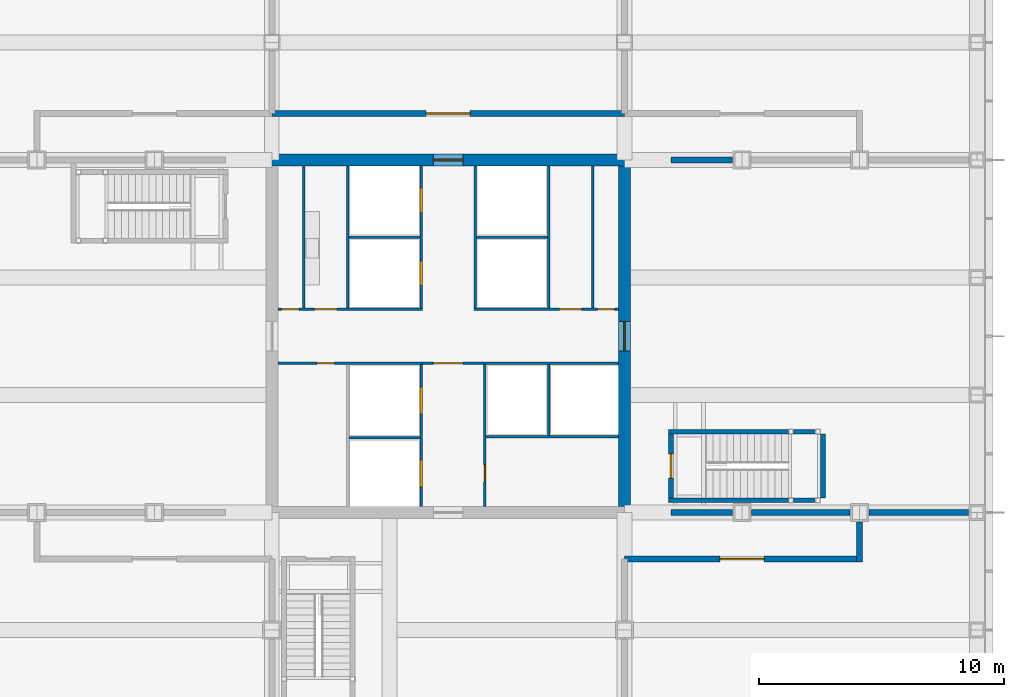
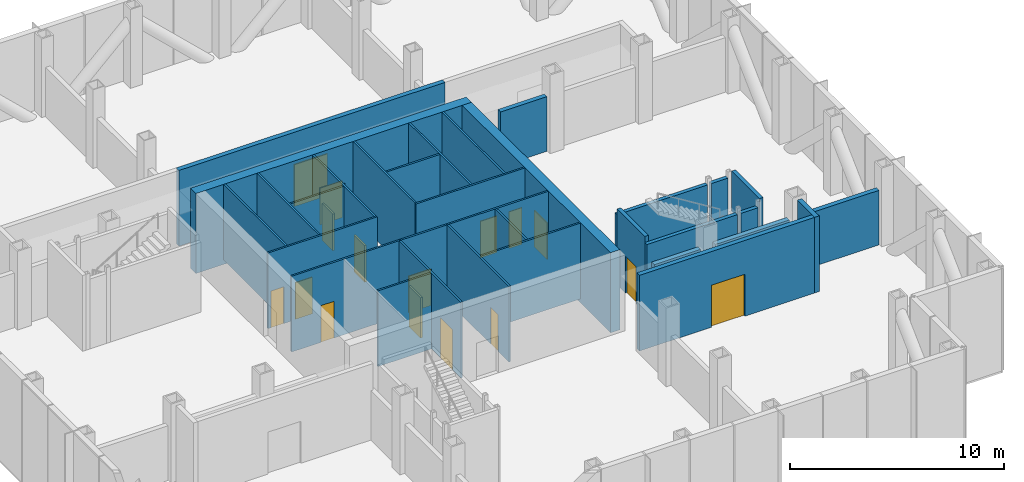
# One storey, part 14 of 18: 33 walls, 16 doors, 16 openings.
"""IFC4 building model written with IfcOpenShell, lengths in metres."""

from ifc_helpers import new_model, si_unit, direction, frame, frame_2d, origin, place, context, subcontext, project, spatial, rectangle, extrude, material, layer, layer_set, type_object, element, fill, save


model = new_model("IFC4")

# Units and contexts
model_context = context("Model", 3, precision=1e-05, world=origin(), true_north=direction((0.0, 1.0)))
body_context = subcontext(model_context, "Body", "Model", "MODEL_VIEW")
ifc_project = project(units=[si_unit("LENGTHUNIT", "METRE"), si_unit("AREAUNIT", "SQUARE_METRE"), si_unit("VOLUMEUNIT", "CUBIC_METRE"), si_unit("PLANEANGLEUNIT", "RADIAN"), si_unit("MASSUNIT", "GRAM", prefix="KILO")], contexts=[model_context])

# Site, building, storey
site_placement = place(None, origin())
site = spatial("IfcSite", under=ifc_project, at=site_placement, CompositionType="ELEMENT")
building_placement = place(site_placement, origin())
building = spatial("IfcBuilding", under=site, at=building_placement, Name="Kvirike Care Tower", CompositionType="ELEMENT")
storey_placement = place(building_placement, frame((0.0, 0.0, 79.5)))
storey = spatial("IfcBuildingStorey", under=building, at=storey_placement, Name="L21", CompositionType="ELEMENT", Elevation=79.5)

# Wall, opening, door
ifc_material_1 = material(Name="Concrete C60/75", Category="concrete")
ifc_layer_1 = layer(ifc_material_1, 0.5)
ifc_layer_set_1 = layer_set([ifc_layer_1], Name="CORE WALL 500 C60-75")
wall_type_1 = type_object("IfcWallType", Name="CORE WALL 500 C60-75", PredefinedType="SHEAR", material=ifc_layer_set_1)
wall_1_placement = place(storey_placement, frame((29.050048828125, 43.199951171875, -0.25), z_axis=(0.0, 0.0, 1.0), x_axis=(-1.0, 0.0, 0.0)))
wall_1 = element("IfcWall", 1, at=wall_1_placement, inside=storey, type_object=wall_type_1, Name="Core wall N L21", PredefinedType="SHEAR", context=body_context, shape_type="SweptSolid", body=[
    extrude(rectangle(XDim=14.900146484375, YDim=0.5, at=frame_2d((7.4501953125, 0.0))), origin(), (0.0, 0.0, 1.0), 4.580078125),
])
opening_1_placement = place(wall_1_placement, frame((6.85009765625, 0.0, 0.25)))
opening_1 = element("IfcOpeningElement", 2, at=opening_1_placement, cuts=wall_1, Name="Opening 21-023", PredefinedType="OPENING", context=body_context, shape_type="SweptSolid", body=[
    extrude(rectangle(XDim=1.199951171875, YDim=2.10009765625, at=frame_2d((0.60009765625, 1.050048828125))), frame((0.0, 0.260498046875, 0.0), z_axis=(0.0, -1.0, 0.0), x_axis=(1.0, 0.0, 0.0)), (0.0, 0.0, 1.0), 0.52099609375),
])
ifc_material_2 = material(Name="Timber door set", Category="wood")
door_type_1 = type_object("IfcDoorType", Name="CORE DOOR 1200", OperationType="SINGLE_SWING_LEFT", PredefinedType="DOOR", material=ifc_material_2)
door_1_placement = place(opening_1_placement, origin())
door_1 = element("IfcDoor", 3, at=door_1_placement, inside=storey, type_object=door_type_1, Name="Core door N L21", OperationType="SINGLE_SWING_LEFT", OverallHeight=2.10009765625, OverallWidth=1.199951171875, PredefinedType="DOOR", context=body_context, shape_type="SweptSolid", body=[
    extrude(rectangle(XDim=1.199951171875, YDim=2.10009765625, at=frame_2d((0.60009765625, 1.050048828125))), frame((0.0, 0.02685546875, 0.0), z_axis=(0.0, -1.0, 0.0), x_axis=(1.0, 0.0, 0.0)), (0.0, 0.0, 1.0), 0.053955078125),
])
fill(opening_1, door_1)

wall_2_placement = place(storey_placement, frame((28.800048828125, 29.050048828125, -0.25), z_axis=(0.0, 0.0, 1.0), x_axis=(0.0, 1.0, 0.0)))
wall_2 = element("IfcWall", 4, at=wall_2_placement, inside=storey, type_object=wall_type_1, Name="Core wall E L21", PredefinedType="SHEAR", context=body_context, shape_type="SweptSolid", body=[
    extrude(rectangle(XDim=13.89990234375, YDim=0.5, at=frame_2d((6.949951171875, 0.0))), origin(), (0.0, 0.0, 1.0), 4.580078125),
])
opening_2_placement = place(wall_2_placement, frame((6.35009765625, 0.0, 0.25)))
opening_2 = element("IfcOpeningElement", 5, at=opening_2_placement, cuts=wall_2, Name="Opening 21-022", PredefinedType="OPENING", context=body_context, shape_type="SweptSolid", body=[
    extrude(rectangle(XDim=1.199951171875, YDim=2.10009765625, at=frame_2d((0.60009765625, 1.050048828125))), frame((0.0, 0.260498046875, 0.0), z_axis=(0.0, -1.0, 0.0), x_axis=(1.0, 0.0, 0.0)), (0.0, 0.0, 1.0), 0.52099609375),
])
door_2_placement = place(opening_2_placement, origin())
door_2 = element("IfcDoor", 6, at=door_2_placement, inside=storey, type_object=door_type_1, Name="Core door E L21", OperationType="SINGLE_SWING_LEFT", OverallHeight=2.10009765625, OverallWidth=1.199951171875, PredefinedType="DOOR", context=body_context, shape_type="SweptSolid", body=[
    extrude(rectangle(XDim=1.199951171875, YDim=2.10009765625, at=frame_2d((0.60009765625, 1.050048828125))), frame((0.0, 0.02685546875, 0.0), z_axis=(0.0, -1.0, 0.0), x_axis=(1.0, 0.0, 0.0)), (0.0, 0.0, 1.0), 0.053955078125),
])
fill(opening_2, door_2)

ifc_material_3 = material(Name="Concrete blockwork", Category="masonry")
ifc_layer_2 = layer(ifc_material_3, 0.25)
ifc_layer_set_2 = layer_set([ifc_layer_2], Name="PLANT ROOM WALL 250")
wall_type_2 = type_object("IfcWallType", Name="PLANT ROOM WALL 250", PredefinedType="SOLIDWALL", material=ifc_layer_set_2)
wall_3_placement = place(storey_placement, frame((28.800048828125, 45.10009765625, 0.0), z_axis=(0.0, 0.0, 1.0), x_axis=(-1.0, 0.0, 0.0)))
wall_3 = element("IfcWall", 7, at=wall_3_placement, inside=storey, type_object=wall_type_2, Name="Plant Room Wall 250 L21", PredefinedType="SOLIDWALL", context=body_context, shape_type="SweptSolid", body=[
    extrude(rectangle(XDim=14.400146484375, YDim=0.25, at=frame_2d((7.2001953125, 0.0))), origin(), (0.0, 0.0, 1.0), 4.330078125),
])
opening_3_placement = place(wall_3_placement, frame((6.300048828125, 0.0, 0.0)))
opening_3 = element("IfcOpeningElement", 8, at=opening_3_placement, cuts=wall_3, Name="Opening 21-005", PredefinedType="OPENING", context=body_context, shape_type="SweptSolid", body=[
    extrude(rectangle(XDim=1.800048828125, YDim=2.39990234375, at=frame_2d((0.89990234375, 1.199951171875))), frame((0.0, 0.135498046875, 0.0), z_axis=(0.0, -1.0, 0.0), x_axis=(1.0, 0.0, 0.0)), (0.0, 0.0, 1.0), 0.27099609375),
])
ifc_material_4 = material(Name="Timber door set", Category="wood")
door_type_2 = type_object("IfcDoorType", Name="PLANT ROOM DOOR 1800", OperationType="DOUBLE_DOOR_SINGLE_SWING", PredefinedType="DOOR", material=ifc_material_4)
door_3_placement = place(opening_3_placement, frame((1.800048828125, 0.0, 0.0), z_axis=(0.0, 0.0, 1.0), x_axis=(-1.0, 0.0, 0.0)))
door_3 = element("IfcDoor", 9, at=door_3_placement, inside=storey, type_object=door_type_2, Name="Electrical plant room door", OperationType="DOUBLE_DOOR_SINGLE_SWING", OverallHeight=2.39990234375, OverallWidth=1.800048828125, PredefinedType="DOOR", context=body_context, shape_type="SweptSolid", body=[
    extrude(rectangle(XDim=1.800048828125, YDim=2.39990234375, at=frame_2d((0.89990234375, 1.199951171875))), frame((0.0, 0.031982421875, 0.0), z_axis=(0.0, -1.0, 0.0), x_axis=(1.0, 0.0, 0.0)), (0.0, 0.0, 1.0), 0.06396484375),
])
fill(opening_3, door_3)

wall_4_placement = place(storey_placement, frame((28.800048828125, 26.89990234375, 0.0), z_axis=(0.0, 0.0, 1.0), x_axis=(1.0, 0.0, 0.0)))
wall_4 = element("IfcWall", 10, at=wall_4_placement, inside=storey, type_object=wall_type_2, Name="Plant Room Wall 250 L21", PredefinedType="SOLIDWALL", context=body_context, shape_type="SweptSolid", body=[
    extrude(rectangle(XDim=9.599853515625, YDim=0.25, at=frame_2d((4.7998046875, 0.0))), origin(), (0.0, 0.0, 1.0), 4.330078125),
])
opening_4_placement = place(wall_4_placement, frame((3.89990234375, 0.0, 0.0)))
opening_4 = element("IfcOpeningElement", 11, at=opening_4_placement, cuts=wall_4, Name="Opening 21-006", PredefinedType="OPENING", context=body_context, shape_type="SweptSolid", body=[
    extrude(rectangle(XDim=1.800048828125, YDim=2.39990234375, at=frame_2d((0.89990234375, 1.199951171875))), frame((0.0, 0.135498046875, 0.0), z_axis=(0.0, -1.0, 0.0), x_axis=(1.0, 0.0, 0.0)), (0.0, 0.0, 1.0), 0.27099609375),
])
door_4_placement = place(opening_4_placement, frame((1.800048828125, 0.0, 0.0), z_axis=(0.0, 0.0, 1.0), x_axis=(-1.0, 0.0, 0.0)))
door_4 = element("IfcDoor", 12, at=door_4_placement, inside=storey, type_object=door_type_2, Name="Electrical plant room door", OperationType="DOUBLE_DOOR_SINGLE_SWING", OverallHeight=2.39990234375, OverallWidth=1.800048828125, PredefinedType="DOOR", context=body_context, shape_type="SweptSolid", body=[
    extrude(rectangle(XDim=1.800048828125, YDim=2.39990234375, at=frame_2d((0.89990234375, 1.199951171875))), frame((0.0, 0.031982421875, 0.0), z_axis=(0.0, -1.0, 0.0), x_axis=(1.0, 0.0, 0.0)), (0.0, 0.0, 1.0), 0.06396484375),
])
fill(opening_4, door_4)

# Walls
wall_5_placement = place(storey_placement, frame((38.39990234375, 26.77490234375, 0.0), z_axis=(0.0, 0.0, 1.0), x_axis=(0.0, 1.0, 0.0)))
element("IfcWall", 13, at=wall_5_placement, inside=storey, type_object=wall_type_2, Name="Plant Room Wall 250 L21", PredefinedType="SOLIDWALL", context=body_context, shape_type="SweptSolid", body=[
    extrude(rectangle(XDim=1.630126953125, YDim=0.25, at=frame_2d((0.81494140625, 0.0))), origin(), (0.0, 0.0, 1.0), 4.330078125),
])
wall_6_placement = place(storey_placement, frame((42.85498046875, 28.800048828125, 0.0), z_axis=(0.0, 0.0, 1.0), x_axis=(-1.0, 0.0, 0.0)))
element("IfcWall", 14, at=wall_6_placement, inside=storey, type_object=wall_type_2, Name="Plant Room Wall 250 L21", PredefinedType="SOLIDWALL", context=body_context, shape_type="SweptSolid", body=[
    extrude(rectangle(XDim=4.06005859375, YDim=0.25, at=frame_2d((2.030029296875, 0.0))), origin(), (0.0, 0.0, 1.0), 3.1201171875),
])
wall_7_placement = place(storey_placement, frame((38.0048828125, 28.800048828125, 0.0), z_axis=(0.0, 0.0, 1.0), x_axis=(-1.0, 0.0, 0.0)))
element("IfcWall", 15, at=wall_7_placement, inside=storey, type_object=wall_type_2, Name="Plant Room Wall 250 L21", PredefinedType="SOLIDWALL", context=body_context, shape_type="SweptSolid", body=[
    extrude(rectangle(XDim=4.009765625, YDim=0.25, at=frame_2d((2.0048828125, 0.0))), origin(), (0.0, 0.0, 1.0), 3.1201171875),
])
for number, where, z_axis, x_axis, name in (
    (16, (33.205078125, 28.800048828125, 0.0), (0.0, 0.0, 1.0), (-1.0, 0.0, 0.0), "Plant Room Wall 250 L21"),
    (17, (33.205078125, 43.199951171875, 0.0), (0.0, 0.0, 1.0), (-1.0, 0.0, 0.0), "Plant Room Wall 250 L21"),
):
    element("IfcWall", number, at=place(storey_placement, frame(where, z_axis=z_axis, x_axis=x_axis)), inside=storey, type_object=wall_type_2, Name=name, PredefinedType="SOLIDWALL", context=body_context, shape_type="SweptSolid", body=[
        extrude(rectangle(XDim=2.505126953125, YDim=0.25, at=frame_2d((1.25244140625, 0.0))), origin(), (0.0, 0.0, 1.0), 3.1201171875),
    ])
ifc_material_5 = material(Name="Gypsum shaft wall system", Category="gypsum")
ifc_layer_3 = layer(ifc_material_5, 0.10009765625)
ifc_layer_set_3 = layer_set([ifc_layer_3], Name="SHAFT WALL 100")
wall_type_3 = type_object("IfcWallType", Name="SHAFT WALL 100", PredefinedType="SOLIDWALL", material=ifc_layer_set_3)
for number, where, z_axis, x_axis, name in (
    (18, (15.699951171875, 37.14990234375, 0.0), (0.0, 0.0, 1.0), (0.0, 1.0, 0.0), "Shaft Wall 100 L21"),
    (19, (27.5, 37.14990234375, 0.0), (0.0, 0.0, 1.0), (0.0, 1.0, 0.0), "Shaft Wall 100 L21"),
):
    element("IfcWall", number, at=place(storey_placement, frame(where, z_axis=z_axis, x_axis=x_axis)), inside=storey, type_object=wall_type_3, Name=name, PredefinedType="SOLIDWALL", context=body_context, shape_type="SweptSolid", body=[
        extrude(rectangle(XDim=5.800048828125, YDim=0.10009765625, at=frame_2d((2.89990234375, 0.0))), origin(), (0.0, 0.0, 1.0), 4.330078125),
    ])

# Wall, openings, doors
wall_8_placement = place(storey_placement, frame((20.5, 29.050048828125, 0.0), z_axis=(0.0, 0.0, 1.0), x_axis=(0.0, 1.0, 0.0)))
wall_8 = element("IfcWall", 20, at=wall_8_placement, inside=storey, type_object=wall_type_3, Name="Shaft Wall 100 L21", PredefinedType="SOLIDWALL", context=body_context, shape_type="SweptSolid", body=[
    extrude(rectangle(XDim=5.800048828125, YDim=0.10009765625, at=frame_2d((2.89990234375, 0.0))), origin(), (0.0, 0.0, 1.0), 4.330078125),
])
opening_5_placement = place(wall_8_placement, frame((0.800048828125, 0.0, 0.0)))
opening_5 = element("IfcOpeningElement", 21, at=opening_5_placement, cuts=wall_8, Name="Opening 21-009", PredefinedType="OPENING", context=body_context, shape_type="SweptSolid", body=[
    extrude(rectangle(XDim=1.10009765625, YDim=2.300048828125, at=frame_2d((0.550048828125, 1.14990234375))), frame((0.0, 0.060546875, 0.0), z_axis=(0.0, -1.0, 0.0), x_axis=(1.0, 0.0, 0.0)), (0.0, 0.0, 1.0), 0.12109375),
])
opening_6_placement = place(wall_8_placement, frame((3.77490234375, 0.0, 0.0)))
opening_6 = element("IfcOpeningElement", 22, at=opening_6_placement, cuts=wall_8, Name="Opening 21-010", PredefinedType="OPENING", context=body_context, shape_type="SweptSolid", body=[
    extrude(rectangle(XDim=1.10009765625, YDim=2.300048828125, at=frame_2d((0.550048828125, 1.14990234375))), frame((0.0, 0.060546875, 0.0), z_axis=(0.0, -1.0, 0.0), x_axis=(1.0, 0.0, 0.0)), (0.0, 0.0, 1.0), 0.12109375),
])
ifc_material_6 = material(Name="Aluminium door frame", Category="aluminium")
door_type_3 = type_object("IfcDoorType", Name="FIRE-FIGHTING LIFT LANDING DOOR 1100", OperationType="SLIDING_TO_LEFT", PredefinedType="DOOR", material=ifc_material_6)
door_5_placement = place(opening_5_placement, origin())
door_5 = element("IfcDoor", 23, at=door_5_placement, inside=storey, type_object=door_type_3, Name="Lift FF1 landing door", OperationType="SLIDING_TO_LEFT", OverallHeight=2.300048828125, OverallWidth=1.10009765625, PredefinedType="DOOR", context=body_context, shape_type="SweptSolid", body=[
    extrude(rectangle(XDim=1.10009765625, YDim=2.300048828125, at=frame_2d((0.550048828125, 1.14990234375))), frame((0.0, 0.0498046875, 0.0), z_axis=(0.0, -1.0, 0.0), x_axis=(1.0, 0.0, 0.0)), (0.0, 0.0, 1.0), 0.099609375),
])
fill(opening_5, door_5)
door_6_placement = place(opening_6_placement, origin())
door_6 = element("IfcDoor", 24, at=door_6_placement, inside=storey, type_object=door_type_3, Name="Lift FF2 landing door", OperationType="SLIDING_TO_LEFT", OverallHeight=2.300048828125, OverallWidth=1.10009765625, PredefinedType="DOOR", context=body_context, shape_type="SweptSolid", body=[
    extrude(rectangle(XDim=1.10009765625, YDim=2.300048828125, at=frame_2d((0.550048828125, 1.14990234375))), frame((0.0, 0.0498046875, 0.0), z_axis=(0.0, -1.0, 0.0), x_axis=(1.0, 0.0, 0.0)), (0.0, 0.0, 1.0), 0.099609375),
])
fill(opening_6, door_6)

wall_9_placement = place(storey_placement, frame((20.5, 37.14990234375, 0.0), z_axis=(0.0, 0.0, 1.0), x_axis=(0.0, 1.0, 0.0)))
wall_9 = element("IfcWall", 25, at=wall_9_placement, inside=storey, type_object=wall_type_3, Name="Shaft Wall 100 L21", PredefinedType="SOLIDWALL", context=body_context, shape_type="SweptSolid", body=[
    extrude(rectangle(XDim=5.800048828125, YDim=0.10009765625, at=frame_2d((2.89990234375, 0.0))), origin(), (0.0, 0.0, 1.0), 4.330078125),
])
opening_7_placement = place(wall_9_placement, frame((0.925048828125, 0.0, 0.0)))
opening_7 = element("IfcOpeningElement", 26, at=opening_7_placement, cuts=wall_9, Name="Opening 21-011", PredefinedType="OPENING", context=body_context, shape_type="SweptSolid", body=[
    extrude(rectangle(XDim=1.0, YDim=2.10009765625, at=frame_2d((0.5, 1.050048828125))), frame((0.0, 0.060546875, 0.0), z_axis=(0.0, -1.0, 0.0), x_axis=(1.0, 0.0, 0.0)), (0.0, 0.0, 1.0), 0.12109375),
])
opening_8_placement = place(wall_9_placement, frame((3.89990234375, 0.0, 0.0)))
opening_8 = element("IfcOpeningElement", 27, at=opening_8_placement, cuts=wall_9, Name="Opening 21-012", PredefinedType="OPENING", context=body_context, shape_type="SweptSolid", body=[
    extrude(rectangle(XDim=1.0, YDim=2.10009765625, at=frame_2d((0.5, 1.050048828125))), frame((0.0, 0.060546875, 0.0), z_axis=(0.0, -1.0, 0.0), x_axis=(1.0, 0.0, 0.0)), (0.0, 0.0, 1.0), 0.12109375),
])
ifc_material_7 = material(Name="Aluminium door frame", Category="aluminium")
door_type_4 = type_object("IfcDoorType", Name="LIFT LANDING DOOR 1000", OperationType="SLIDING_TO_LEFT", PredefinedType="DOOR", material=ifc_material_7)
door_7_placement = place(opening_7_placement, origin())
door_7 = element("IfcDoor", 28, at=door_7_placement, inside=storey, type_object=door_type_4, Name="Lift P1 landing door", OperationType="SLIDING_TO_LEFT", OverallHeight=2.10009765625, OverallWidth=1.0, PredefinedType="DOOR", context=body_context, shape_type="SweptSolid", body=[
    extrude(rectangle(XDim=1.0, YDim=2.10009765625, at=frame_2d((0.5, 1.050048828125))), frame((0.0, 0.0498046875, 0.0), z_axis=(0.0, -1.0, 0.0), x_axis=(1.0, 0.0, 0.0)), (0.0, 0.0, 1.0), 0.099609375),
])
fill(opening_7, door_7)
door_8_placement = place(opening_8_placement, origin())
door_8 = element("IfcDoor", 29, at=door_8_placement, inside=storey, type_object=door_type_4, Name="Lift P2 landing door", OperationType="SLIDING_TO_LEFT", OverallHeight=2.10009765625, OverallWidth=1.0, PredefinedType="DOOR", context=body_context, shape_type="SweptSolid", body=[
    extrude(rectangle(XDim=1.0, YDim=2.10009765625, at=frame_2d((0.5, 1.050048828125))), frame((0.0, 0.0498046875, 0.0), z_axis=(0.0, -1.0, 0.0), x_axis=(1.0, 0.0, 0.0)), (0.0, 0.0, 1.0), 0.099609375),
])
fill(opening_8, door_8)

# Wall
wall_10_placement = place(storey_placement, frame((22.699951171875, 37.14990234375, 0.0), z_axis=(0.0, 0.0, 1.0), x_axis=(0.0, 1.0, 0.0)))
element("IfcWall", 30, at=wall_10_placement, inside=storey, type_object=wall_type_3, Name="Shaft Wall 100 L21", PredefinedType="SOLIDWALL", context=body_context, shape_type="SweptSolid", body=[
    extrude(rectangle(XDim=5.800048828125, YDim=0.10009765625, at=frame_2d((2.89990234375, 0.0))), origin(), (0.0, 0.0, 1.0), 4.330078125),
])

# Wall, opening, door
wall_11_placement = place(storey_placement, frame((23.10009765625, 29.050048828125, 0.0), z_axis=(0.0, 0.0, 1.0), x_axis=(0.0, 1.0, 0.0)))
wall_11 = element("IfcWall", 31, at=wall_11_placement, inside=storey, type_object=wall_type_3, Name="Shaft Wall 100 L21", PredefinedType="SOLIDWALL", context=body_context, shape_type="SweptSolid", body=[
    extrude(rectangle(XDim=5.800048828125, YDim=0.10009765625, at=frame_2d((2.89990234375, 0.0))), origin(), (0.0, 0.0, 1.0), 4.330078125),
])
opening_9_placement = place(wall_11_placement, frame((1.0, 0.0, 0.0)))
opening_9 = element("IfcOpeningElement", 32, at=opening_9_placement, cuts=wall_11, Name="Opening 21-013", PredefinedType="OPENING", context=body_context, shape_type="SweptSolid", body=[
    extrude(rectangle(XDim=0.699951171875, YDim=2.10009765625, at=frame_2d((0.35009765625, 1.050048828125))), frame((0.0, 0.060546875, 0.0), z_axis=(0.0, -1.0, 0.0), x_axis=(1.0, 0.0, 0.0)), (0.0, 0.0, 1.0), 0.12109375),
])
ifc_material_8 = material(Name="Timber door set", Category="wood")
door_type_5 = type_object("IfcDoorType", Name="RISER DOOR 700", OperationType="SINGLE_SWING_LEFT", PredefinedType="DOOR", material=ifc_material_8)
door_9_placement = place(opening_9_placement, origin())
door_9 = element("IfcDoor", 33, at=door_9_placement, inside=storey, type_object=door_type_5, Name="Riser door", OperationType="SINGLE_SWING_RIGHT", OverallHeight=2.10009765625, OverallWidth=0.699951171875, PredefinedType="DOOR", context=body_context, shape_type="SweptSolid", body=[
    extrude(rectangle(XDim=0.699951171875, YDim=2.10009765625, at=frame_2d((0.35009765625, 1.050048828125))), frame((0.0, 0.02685546875, 0.0), z_axis=(0.0, -1.0, 0.0), x_axis=(1.0, 0.0, 0.0)), (0.0, 0.0, 1.0), 0.053955078125),
])
fill(opening_9, door_9)

wall_12_placement = place(storey_placement, frame((14.64990234375, 34.89990234375, 0.0), z_axis=(0.0, 0.0, 1.0), x_axis=(1.0, 0.0, 0.0)))
wall_12 = element("IfcWall", 34, at=wall_12_placement, inside=storey, type_object=wall_type_3, Name="Shaft Wall 100 L21", PredefinedType="SOLIDWALL", context=body_context, shape_type="SweptSolid", body=[
    extrude(rectangle(XDim=5.900146484375, YDim=0.10009765625, at=frame_2d((2.9501953125, 0.0))), origin(), (0.0, 0.0, 1.0), 4.330078125),
])
opening_10_placement = place(wall_12_placement, frame((1.60009765625, 0.0, 0.0)))
opening_10 = element("IfcOpeningElement", 35, at=opening_10_placement, cuts=wall_12, Name="Opening 21-014", PredefinedType="OPENING", context=body_context, shape_type="SweptSolid", body=[
    extrude(rectangle(XDim=0.699951171875, YDim=2.10009765625, at=frame_2d((0.35009765625, 1.050048828125))), frame((0.0, 0.060546875, 0.0), z_axis=(0.0, -1.0, 0.0), x_axis=(1.0, 0.0, 0.0)), (0.0, 0.0, 1.0), 0.12109375),
])
door_10_placement = place(opening_10_placement, frame((0.699951171875, 0.0, 0.0), z_axis=(0.0, 0.0, 1.0), x_axis=(-1.0, 0.0, 0.0)))
door_10 = element("IfcDoor", 36, at=door_10_placement, inside=storey, type_object=door_type_5, Name="Riser door", OperationType="SINGLE_SWING_RIGHT", OverallHeight=2.10009765625, OverallWidth=0.699951171875, PredefinedType="DOOR", context=body_context, shape_type="SweptSolid", body=[
    extrude(rectangle(XDim=0.699951171875, YDim=2.10009765625, at=frame_2d((0.35009765625, 1.050048828125))), frame((0.0, 0.02685546875, 0.0), z_axis=(0.0, -1.0, 0.0), x_axis=(1.0, 0.0, 0.0)), (0.0, 0.0, 1.0), 0.053955078125),
])
fill(opening_10, door_10)

# Wall
wall_13_placement = place(storey_placement, frame((23.050048828125, 34.89990234375, 0.0), z_axis=(0.0, 0.0, 1.0), x_axis=(1.0, 0.0, 0.0)))
element("IfcWall", 37, at=wall_13_placement, inside=storey, type_object=wall_type_3, Name="Shaft Wall 100 L21", PredefinedType="SOLIDWALL", context=body_context, shape_type="SweptSolid", body=[
    extrude(rectangle(XDim=5.5, YDim=0.10009765625, at=frame_2d((2.75, 0.0))), origin(), (0.0, 0.0, 1.0), 4.330078125),
])

# Wall, openings, doors
wall_14_placement = place(storey_placement, frame((14.64990234375, 37.10009765625, 0.0), z_axis=(0.0, 0.0, 1.0), x_axis=(1.0, 0.0, 0.0)))
wall_14 = element("IfcWall", 38, at=wall_14_placement, inside=storey, type_object=wall_type_3, Name="Shaft Wall 100 L21", PredefinedType="SOLIDWALL", context=body_context, shape_type="SweptSolid", body=[
    extrude(rectangle(XDim=5.900146484375, YDim=0.10009765625, at=frame_2d((2.9501953125, 0.0))), origin(), (0.0, 0.0, 1.0), 4.330078125),
])
opening_11_placement = place(wall_14_placement, frame((0.14990234375, 0.0, 0.0)))
opening_11 = element("IfcOpeningElement", 39, at=opening_11_placement, cuts=wall_14, Name="Opening 21-015", PredefinedType="OPENING", context=body_context, shape_type="SweptSolid", body=[
    extrude(rectangle(XDim=0.699951171875, YDim=2.10009765625, at=frame_2d((0.35009765625, 1.050048828125))), frame((0.0, 0.060546875, 0.0), z_axis=(0.0, -1.0, 0.0), x_axis=(1.0, 0.0, 0.0)), (0.0, 0.0, 1.0), 0.12109375),
])
opening_12_placement = place(wall_14_placement, frame((1.5, 0.0, 0.0)))
opening_12 = element("IfcOpeningElement", 40, at=opening_12_placement, cuts=wall_14, Name="Opening 21-016", PredefinedType="OPENING", context=body_context, shape_type="SweptSolid", body=[
    extrude(rectangle(XDim=0.89990234375, YDim=2.10009765625, at=frame_2d((0.449951171875, 1.050048828125))), frame((0.0, 0.060546875, 0.0), z_axis=(0.0, -1.0, 0.0), x_axis=(1.0, 0.0, 0.0)), (0.0, 0.0, 1.0), 0.12109375),
])
door_11_placement = place(opening_11_placement, origin())
door_11 = element("IfcDoor", 41, at=door_11_placement, inside=storey, type_object=door_type_5, Name="Riser door", OperationType="SINGLE_SWING_LEFT", OverallHeight=2.10009765625, OverallWidth=0.699951171875, PredefinedType="DOOR", context=body_context, shape_type="SweptSolid", body=[
    extrude(rectangle(XDim=0.699951171875, YDim=2.10009765625, at=frame_2d((0.35009765625, 1.050048828125))), frame((0.0, 0.02685546875, 0.0), z_axis=(0.0, -1.0, 0.0), x_axis=(1.0, 0.0, 0.0)), (0.0, 0.0, 1.0), 0.053955078125),
])
fill(opening_11, door_11)
ifc_material_9 = material(Name="Timber door set", Category="wood")
door_type_6 = type_object("IfcDoorType", Name="STORE DOOR 900", OperationType="SINGLE_SWING_LEFT", PredefinedType="DOOR", material=ifc_material_9)
door_12_placement = place(opening_12_placement, origin())
door_12 = element("IfcDoor", 42, at=door_12_placement, inside=storey, type_object=door_type_6, Name="Resident pantry door", OperationType="SINGLE_SWING_LEFT", OverallHeight=2.10009765625, OverallWidth=0.89990234375, PredefinedType="DOOR", context=body_context, shape_type="SweptSolid", body=[
    extrude(rectangle(XDim=0.89990234375, YDim=2.10009765625, at=frame_2d((0.449951171875, 1.050048828125))), frame((0.0, 0.02685546875, 0.0), z_axis=(0.0, -1.0, 0.0), x_axis=(1.0, 0.0, 0.0)), (0.0, 0.0, 1.0), 0.053955078125),
])
fill(opening_12, door_12)

wall_15_placement = place(storey_placement, frame((22.64990234375, 37.10009765625, 0.0), z_axis=(0.0, 0.0, 1.0), x_axis=(1.0, 0.0, 0.0)))
wall_15 = element("IfcWall", 43, at=wall_15_placement, inside=storey, type_object=wall_type_3, Name="Shaft Wall 100 L21", PredefinedType="SOLIDWALL", context=body_context, shape_type="SweptSolid", body=[
    extrude(rectangle(XDim=5.900146484375, YDim=0.10009765625, at=frame_2d((2.9501953125, 0.0))), origin(), (0.0, 0.0, 1.0), 4.330078125),
])
opening_13_placement = place(wall_15_placement, frame((3.5, 0.0, 0.0)))
opening_13 = element("IfcOpeningElement", 44, at=opening_13_placement, cuts=wall_15, Name="Opening 21-017", PredefinedType="OPENING", context=body_context, shape_type="SweptSolid", body=[
    extrude(rectangle(XDim=0.89990234375, YDim=2.10009765625, at=frame_2d((0.449951171875, 1.050048828125))), frame((0.0, 0.060546875, 0.0), z_axis=(0.0, -1.0, 0.0), x_axis=(1.0, 0.0, 0.0)), (0.0, 0.0, 1.0), 0.12109375),
])
opening_14_placement = place(wall_15_placement, frame((5.050048828125, 0.0, 0.0)))
opening_14 = element("IfcOpeningElement", 45, at=opening_14_placement, cuts=wall_15, Name="Opening 21-018", PredefinedType="OPENING", context=body_context, shape_type="SweptSolid", body=[
    extrude(rectangle(XDim=0.699951171875, YDim=2.10009765625, at=frame_2d((0.35009765625, 1.050048828125))), frame((0.0, 0.060546875, 0.0), z_axis=(0.0, -1.0, 0.0), x_axis=(1.0, 0.0, 0.0)), (0.0, 0.0, 1.0), 0.12109375),
])
door_13_placement = place(opening_14_placement, origin())
door_13 = element("IfcDoor", 46, at=door_13_placement, inside=storey, type_object=door_type_5, Name="Riser door", OperationType="SINGLE_SWING_RIGHT", OverallHeight=2.10009765625, OverallWidth=0.699951171875, PredefinedType="DOOR", context=body_context, shape_type="SweptSolid", body=[
    extrude(rectangle(XDim=0.699951171875, YDim=2.10009765625, at=frame_2d((0.35009765625, 1.050048828125))), frame((0.0, 0.02685546875, 0.0), z_axis=(0.0, -1.0, 0.0), x_axis=(1.0, 0.0, 0.0)), (0.0, 0.0, 1.0), 0.053955078125),
])
fill(opening_14, door_13)
door_14_placement = place(opening_13_placement, origin())
door_14 = element("IfcDoor", 47, at=door_14_placement, inside=storey, type_object=door_type_6, Name="Cleaners store door", OperationType="SINGLE_SWING_LEFT", OverallHeight=2.10009765625, OverallWidth=0.89990234375, PredefinedType="DOOR", context=body_context, shape_type="SweptSolid", body=[
    extrude(rectangle(XDim=0.89990234375, YDim=2.10009765625, at=frame_2d((0.449951171875, 1.050048828125))), frame((0.0, 0.02685546875, 0.0), z_axis=(0.0, -1.0, 0.0), x_axis=(1.0, 0.0, 0.0)), (0.0, 0.0, 1.0), 0.053955078125),
])
fill(opening_13, door_14)

# Wall, opening, door
wall_16_placement = place(storey_placement, frame((20.550048828125, 34.89990234375, 0.0), z_axis=(0.0, 0.0, 1.0), x_axis=(1.0, 0.0, 0.0)))
wall_16 = element("IfcWall", 48, at=wall_16_placement, inside=storey, type_object=wall_type_3, Name="Shaft Wall 100 L21", PredefinedType="SOLIDWALL", context=body_context, shape_type="SweptSolid", body=[
    extrude(rectangle(XDim=2.5, YDim=0.10009765625, at=frame_2d((1.25, 0.0))), origin(), (0.0, 0.0, 1.0), 4.330078125),
])
opening_15_placement = place(wall_16_placement, frame((0.449951171875, 0.0, 0.0)))
opening_15 = element("IfcOpeningElement", 49, at=opening_15_placement, cuts=wall_16, Name="Opening 21-019", PredefinedType="OPENING", context=body_context, shape_type="SweptSolid", body=[
    extrude(rectangle(XDim=1.199951171875, YDim=2.10009765625, at=frame_2d((0.60009765625, 1.050048828125))), frame((0.0, 0.060546875, 0.0), z_axis=(0.0, -1.0, 0.0), x_axis=(1.0, 0.0, 0.0)), (0.0, 0.0, 1.0), 0.12109375),
])
door_15_placement = place(opening_15_placement, frame((1.199951171875, 0.0, 0.0), z_axis=(0.0, 0.0, 1.0), x_axis=(-1.0, 0.0, 0.0)))
door_15 = element("IfcDoor", 50, at=door_15_placement, inside=storey, type_object=door_type_1, Name="Fire-fighting lobby door", OperationType="SINGLE_SWING_LEFT", OverallHeight=2.10009765625, OverallWidth=1.199951171875, PredefinedType="DOOR", context=body_context, shape_type="SweptSolid", body=[
    extrude(rectangle(XDim=1.199951171875, YDim=2.10009765625, at=frame_2d((0.60009765625, 1.050048828125))), frame((0.0, 0.02685546875, 0.0), z_axis=(0.0, -1.0, 0.0), x_axis=(1.0, 0.0, 0.0)), (0.0, 0.0, 1.0), 0.053955078125),
])
fill(opening_15, door_15)

# Walls
wall_17_placement = place(storey_placement, frame((17.550048828125, 31.85009765625, 0.0), z_axis=(0.0, 0.0, 1.0), x_axis=(1.0, 0.0, 0.0)))
element("IfcWall", 51, at=wall_17_placement, inside=storey, type_object=wall_type_3, Name="Shaft Wall 100 L21", PredefinedType="SOLIDWALL", context=body_context, shape_type="SweptSolid", body=[
    extrude(rectangle(XDim=2.89990234375, YDim=0.10009765625, at=frame_2d((1.449951171875, 0.0))), origin(), (0.0, 0.0, 1.0), 4.330078125),
])
wall_18_placement = place(storey_placement, frame((17.5, 37.14990234375, 0.0), z_axis=(0.0, 0.0, 1.0), x_axis=(0.0, 1.0, 0.0)))
element("IfcWall", 52, at=wall_18_placement, inside=storey, type_object=wall_type_3, Name="Shaft Wall 100 L21", PredefinedType="SOLIDWALL", context=body_context, shape_type="SweptSolid", body=[
    extrude(rectangle(XDim=5.800048828125, YDim=0.10009765625, at=frame_2d((2.89990234375, 0.0))), origin(), (0.0, 0.0, 1.0), 4.330078125),
])
for number, where, z_axis, x_axis, name in (
    (53, (17.550048828125, 40.050048828125, 0.0), (0.0, 0.0, 1.0), (1.0, 0.0, 0.0), "Shaft Wall 100 L21"),
    (54, (22.75, 40.050048828125, 0.0), (0.0, 0.0, 1.0), (1.0, 0.0, 0.0), "Shaft Wall 100 L21"),
):
    element("IfcWall", number, at=place(storey_placement, frame(where, z_axis=z_axis, x_axis=x_axis)), inside=storey, type_object=wall_type_3, Name=name, PredefinedType="SOLIDWALL", context=body_context, shape_type="SweptSolid", body=[
        extrude(rectangle(XDim=2.89990234375, YDim=0.10009765625, at=frame_2d((1.449951171875, 0.0))), origin(), (0.0, 0.0, 1.0), 4.330078125),
    ])
wall_19_placement = place(storey_placement, frame((25.699951171875, 37.14990234375, 0.0), z_axis=(0.0, 0.0, 1.0), x_axis=(0.0, 1.0, 0.0)))
element("IfcWall", 55, at=wall_19_placement, inside=storey, type_object=wall_type_3, Name="Shaft Wall 100 L21", PredefinedType="SOLIDWALL", context=body_context, shape_type="SweptSolid", body=[
    extrude(rectangle(XDim=5.800048828125, YDim=0.10009765625, at=frame_2d((2.89990234375, 0.0))), origin(), (0.0, 0.0, 1.0), 4.330078125),
])
wall_20_placement = place(storey_placement, frame((25.699951171875, 31.949951171875, 0.0), z_axis=(0.0, 0.0, 1.0), x_axis=(0.0, 1.0, 0.0)))
element("IfcWall", 56, at=wall_20_placement, inside=storey, type_object=wall_type_3, Name="Shaft Wall 100 L21", PredefinedType="SOLIDWALL", context=body_context, shape_type="SweptSolid", body=[
    extrude(rectangle(XDim=2.900146484375, YDim=0.10009765625, at=frame_2d((1.4501953125, 0.0))), origin(), (0.0, 0.0, 1.0), 4.330078125),
])
wall_21_placement = place(storey_placement, frame((23.14990234375, 31.89990234375, 0.0), z_axis=(0.0, 0.0, 1.0), x_axis=(1.0, 0.0, 0.0)))
element("IfcWall", 57, at=wall_21_placement, inside=storey, type_object=wall_type_3, Name="Shaft Wall 100 L21", PredefinedType="SOLIDWALL", context=body_context, shape_type="SweptSolid", body=[
    extrude(rectangle(XDim=5.400146484375, YDim=0.10009765625, at=frame_2d((2.7001953125, 0.0))), origin(), (0.0, 0.0, 1.0), 4.330078125),
])
ifc_material_10 = material(Name="Concrete C40/50", Category="concrete")
ifc_layer_4 = layer(ifc_material_10, 0.199951171875)
ifc_layer_set_4 = layer_set([ifc_layer_4], Name="STAIR WALL 200")
wall_type_4 = type_object("IfcWallType", Name="STAIR WALL 200", PredefinedType="SOLIDWALL", material=ifc_layer_set_4)
wall_22_placement = place(storey_placement, frame((36.60009765625, 29.300048828125, 0.0), z_axis=(0.0, 0.0, 1.0), x_axis=(-1.0, 0.0, 0.0)))
element("IfcWall", 58, at=wall_22_placement, inside=storey, type_object=wall_type_4, Name="Stair Wall 200 L21", PredefinedType="SOLIDWALL", context=body_context, shape_type="SweptSolid", body=[
    extrude(rectangle(XDim=0.900146484375, YDim=0.199951171875, at=frame_2d((0.4501953125, 0.0))), origin(), (0.0, 0.0, 1.0), 3.989990234375),
])
wall_23_placement = place(storey_placement, frame((35.5, 29.300048828125, 0.0), z_axis=(0.0, 0.0, 1.0), x_axis=(-1.0, 0.0, 0.0)))
element("IfcWall", 59, at=wall_23_placement, inside=storey, type_object=wall_type_4, Name="Stair Wall 200 L21", PredefinedType="SOLIDWALL", context=body_context, shape_type="SweptSolid", body=[
    extrude(rectangle(XDim=4.89990234375, YDim=0.199951171875, at=frame_2d((2.449951171875, 0.0))), origin(), (0.0, 0.0, 1.0), 3.989990234375),
])
wall_24_placement = place(storey_placement, frame((36.60009765625, 32.10009765625, 0.0), z_axis=(0.0, 0.0, 1.0), x_axis=(-1.0, 0.0, 0.0)))
element("IfcWall", 60, at=wall_24_placement, inside=storey, type_object=wall_type_4, Name="Stair Wall 200 L21", PredefinedType="SOLIDWALL", context=body_context, shape_type="SweptSolid", body=[
    extrude(rectangle(XDim=0.900146484375, YDim=0.199951171875, at=frame_2d((0.4501953125, 0.0))), origin(), (0.0, 0.0, 1.0), 3.989990234375),
])
wall_25_placement = place(storey_placement, frame((35.5, 32.10009765625, 0.0), z_axis=(0.0, 0.0, 1.0), x_axis=(-1.0, 0.0, 0.0)))
element("IfcWall", 61, at=wall_25_placement, inside=storey, type_object=wall_type_4, Name="Stair Wall 200 L21", PredefinedType="SOLIDWALL", context=body_context, shape_type="SweptSolid", body=[
    extrude(rectangle(XDim=4.89990234375, YDim=0.199951171875, at=frame_2d((2.449951171875, 0.0))), origin(), (0.0, 0.0, 1.0), 3.989990234375),
])
wall_26_placement = place(storey_placement, frame((36.89990234375, 29.39990234375, 0.0), z_axis=(0.0, 0.0, 1.0), x_axis=(0.0, 1.0, 0.0)))
element("IfcWall", 62, at=wall_26_placement, inside=storey, type_object=wall_type_4, Name="Stair Wall 200 L21", PredefinedType="SOLIDWALL", context=body_context, shape_type="SweptSolid", body=[
    extrude(rectangle(XDim=2.60009765625, YDim=0.199951171875, at=frame_2d((1.300048828125, 0.0))), origin(), (0.0, 0.0, 1.0), 4.330078125),
])

# Wall, opening, door
wall_27_placement = place(storey_placement, frame((30.699951171875, 29.39990234375, 0.0), z_axis=(0.0, 0.0, 1.0), x_axis=(0.0, 1.0, 0.0)))
wall_27 = element("IfcWall", 63, at=wall_27_placement, inside=storey, type_object=wall_type_4, Name="Stair Wall 200 L21", PredefinedType="SOLIDWALL", context=body_context, shape_type="SweptSolid", body=[
    extrude(rectangle(XDim=2.60009765625, YDim=0.199951171875, at=frame_2d((1.300048828125, 0.0))), origin(), (0.0, 0.0, 1.0), 4.330078125),
])
opening_16_placement = place(wall_27_placement, frame((0.800048828125, 0.0, 0.0)))
opening_16 = element("IfcOpeningElement", 64, at=opening_16_placement, cuts=wall_27, Name="Opening 21-007", PredefinedType="OPENING", context=body_context, shape_type="SweptSolid", body=[
    extrude(rectangle(XDim=1.0, YDim=2.10009765625, at=frame_2d((0.5, 1.050048828125))), frame((0.0, 0.110595703125, 0.0), z_axis=(0.0, -1.0, 0.0), x_axis=(1.0, 0.0, 0.0)), (0.0, 0.0, 1.0), 0.220947265625),
])
ifc_material_11 = material(Name="Timber door set", Category="wood")
door_type_7 = type_object("IfcDoorType", Name="STAIR DOOR 1000", OperationType="SINGLE_SWING_LEFT", PredefinedType="DOOR", material=ifc_material_11)
door_16_placement = place(opening_16_placement, frame((1.0, 0.0, 0.0), z_axis=(0.0, 0.0, 1.0), x_axis=(-1.0, 0.0, 0.0)))
door_16 = element("IfcDoor", 65, at=door_16_placement, inside=storey, type_object=door_type_7, Name="Stair 2 door", OperationType="SINGLE_SWING_LEFT", OverallHeight=2.10009765625, OverallWidth=1.0, PredefinedType="DOOR", context=body_context, shape_type="SweptSolid", body=[
    extrude(rectangle(XDim=1.0, YDim=2.10009765625, at=frame_2d((0.5, 1.050048828125))), frame((0.0, 0.031982421875, 0.0), z_axis=(0.0, -1.0, 0.0), x_axis=(1.0, 0.0, 0.0)), (0.0, 0.0, 1.0), 0.06396484375),
])
fill(opening_16, door_16)

save(model, "model.ifc")
